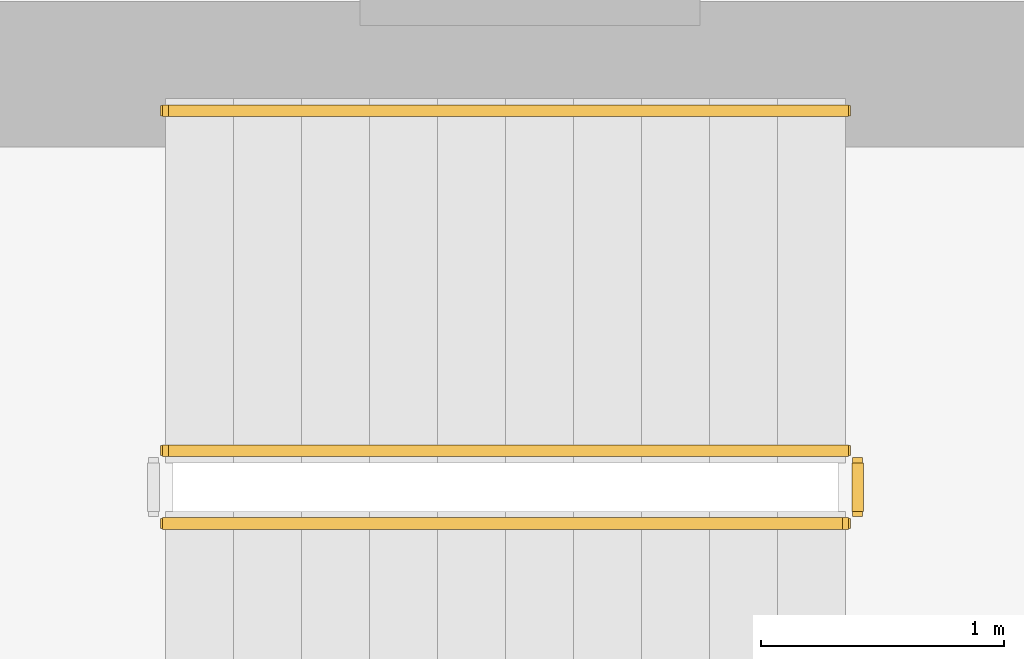
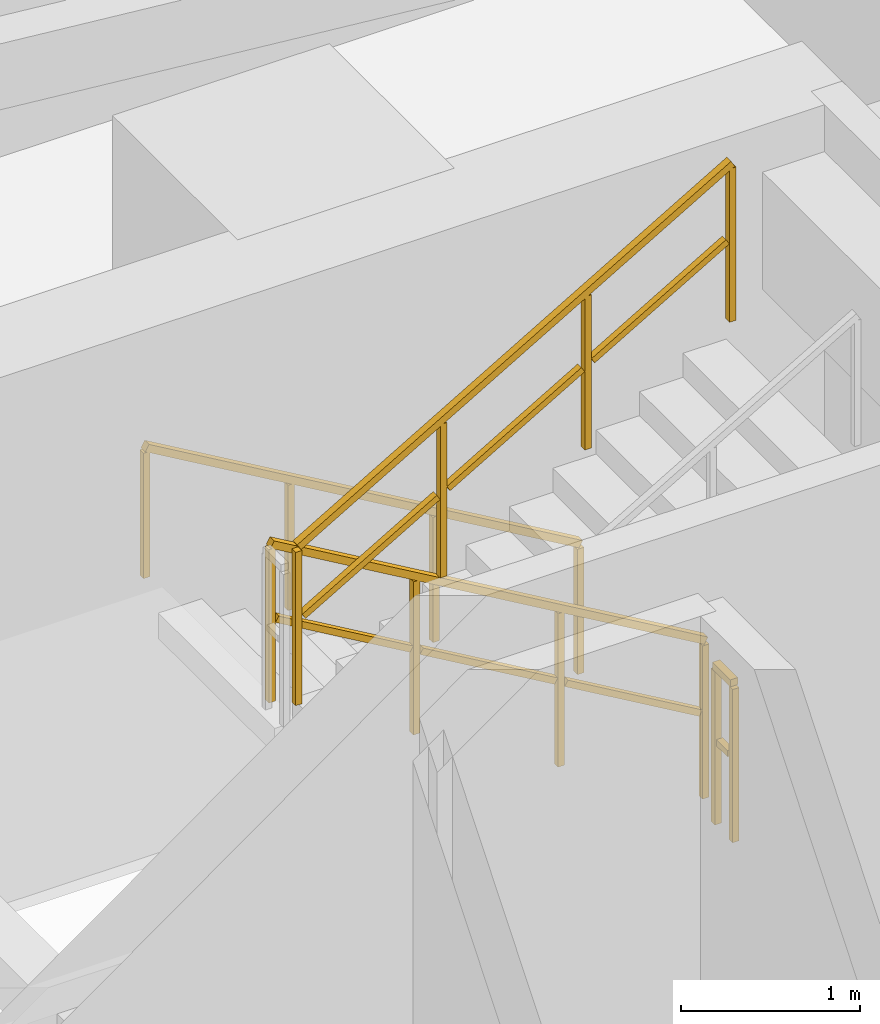
# One storey, part 34 of 36: 4 railings.
"""IFC4 building model written with IfcOpenShell, lengths in metres."""

from ifc_helpers import new_model, si_unit, direction, frame, origin, origin_2d, place, context, subcontext, project, spatial, rectangle, extrude, material, type_object, element, save


model = new_model("IFC4")

# Units and contexts
model_context = context("Model", 3, precision=1e-05, world=origin(), true_north=direction((0.0, 1.0)))
body_context = subcontext(model_context, "Body", "Model", "MODEL_VIEW")
ifc_project = project(units=[si_unit("LENGTHUNIT", "METRE"), si_unit("AREAUNIT", "SQUARE_METRE"), si_unit("VOLUMEUNIT", "CUBIC_METRE"), si_unit("PLANEANGLEUNIT", "RADIAN"), si_unit("MASSUNIT", "GRAM", prefix="KILO")], contexts=[model_context])

# Site, building, storey
site_placement = place(None, origin())
site = spatial("IfcSite", under=ifc_project, at=site_placement, CompositionType="ELEMENT")
building_placement = place(site_placement, origin())
building = spatial("IfcBuilding", under=site, at=building_placement, Name="Thornwick Lancets Civic Towers", CompositionType="ELEMENT")
storey_placement = place(building_placement, frame((0.0, 0.0, 68.10009765625)))
storey = spatial("IfcBuildingStorey", under=building, at=storey_placement, Name="L17", CompositionType="ELEMENT", Elevation=68.10009765625)

# Railings
ifc_material_1 = material(Name="Brushed stainless steel S355", Category="steel")
railing_type_1 = type_object("IfcRailingType", Name="RAIL_HANDRAIL", PredefinedType="HANDRAIL", material=ifc_material_1)
railing_1_placement = place(storey_placement, frame((31.60009765625, 38.949951171875, 0.16357421875)))
element("IfcRailing", 1, at=railing_1_placement, inside=storey, type_object=railing_type_1, Name="L17 ST-A2 stair handrail 1", PredefinedType="HANDRAIL", context=body_context, shape_type="SweptSolid", body=[
    extrude(rectangle(XDim=0.048095703125, YDim=0.048095703125, at=origin_2d()), frame((0.0, 0.0, 0.8857421875), z_axis=(-0.863393664356, 0.0, 0.504530851732), x_axis=(0.0, -1.0, 0.0)), (0.0, 0.0, 1.0), 3.2431640625),
    extrude(rectangle(XDim=0.0419921875, YDim=0.0419921875, at=origin_2d()), origin(), (0.0, 0.0, 1.0), 0.855712890625),
    extrude(rectangle(XDim=0.0419921875, YDim=0.0419921875, at=origin_2d()), frame((-0.933349609375, 0.0, 0.54541015625)), (0.0, 0.0, 1.0), 0.855712890625),
    extrude(rectangle(XDim=0.0419921875, YDim=0.0419921875, at=origin_2d()), frame((-1.86669921875, 0.0, 1.0908203125)), (0.0, 0.0, 1.0), 0.855712890625),
    extrude(rectangle(XDim=0.0419921875, YDim=0.0419921875, at=origin_2d()), frame((-2.800048828125, 0.0, 1.63623046875)), (0.0, 0.0, 1.0), 0.855712890625),
])
ifc_material_2 = material(Name="Steel S355JR", Category="steel")
railing_type_2 = type_object("IfcRailingType", Name="RAIL_STAIR_GUARD", PredefinedType="GUARDRAIL", material=ifc_material_2)
railing_2_placement = place(storey_placement, frame((31.60009765625, 37.550048828125, 0.16357421875)))
element("IfcRailing", 2, at=railing_2_placement, inside=storey, type_object=railing_type_2, Name="L17 ST-A2 stair guard 1", PredefinedType="GUARDRAIL", context=body_context, shape_type="SweptSolid", body=[
    extrude(rectangle(XDim=0.048095703125, YDim=0.048095703125, at=origin_2d()), frame((0.0, 0.0, 1.076171875), z_axis=(-0.863393664356, 0.0, 0.504530851732), x_axis=(0.0, -1.0, 0.0)), (0.0, 0.0, 1.0), 3.2431640625),
    extrude(rectangle(XDim=0.0419921875, YDim=0.0419921875, at=origin_2d()), frame((-0.032470703125, 0.0, 0.591064453125), z_axis=(-0.863393664356, 0.0, 0.504530851732), x_axis=(0.0, -1.0, 0.0)), (0.0, 0.0, 1.0), 1.006103515625),
    extrude(rectangle(XDim=0.0419921875, YDim=0.0419921875, at=origin_2d()), frame((-0.9658203125, 0.0, 1.136474609375), z_axis=(-0.863393664356, 0.0, 0.504530851732), x_axis=(0.0, -1.0, 0.0)), (0.0, 0.0, 1.0), 1.006103515625),
    extrude(rectangle(XDim=0.0419921875, YDim=0.0419921875, at=origin_2d()), frame((-1.899169921875, 0.0, 1.681884765625), z_axis=(-0.863393664356, 0.0, 0.504530851732), x_axis=(0.0, -1.0, 0.0)), (0.0, 0.0, 1.0), 1.006103515625),
    extrude(rectangle(XDim=0.0419921875, YDim=0.0419921875, at=origin_2d()), origin(), (0.0, 0.0, 1.0), 1.0458984375),
    extrude(rectangle(XDim=0.0419921875, YDim=0.0419921875, at=origin_2d()), frame((-0.933349609375, 0.0, 0.54541015625)), (0.0, 0.0, 1.0), 1.0458984375),
    extrude(rectangle(XDim=0.0419921875, YDim=0.0419921875, at=origin_2d()), frame((-1.86669921875, 0.0, 1.0908203125)), (0.0, 0.0, 1.0), 1.0458984375),
    extrude(rectangle(XDim=0.0419921875, YDim=0.0419921875, at=origin_2d()), frame((-2.800048828125, 0.0, 1.63623046875)), (0.0, 0.0, 1.0), 1.0458984375),
])
railing_3_placement = place(storey_placement, frame((28.800048828125, 37.25, 1.963623046875)))
element("IfcRailing", 3, at=railing_3_placement, inside=storey, type_object=railing_type_2, Name="L17 ST-A2 stair guard 3", PredefinedType="GUARDRAIL", context=body_context, shape_type="SweptSolid", body=[
    extrude(rectangle(XDim=0.048095703125, YDim=0.048095703125, at=origin_2d()), frame((0.0, 0.0, 1.076171875), z_axis=(0.863393664356, 0.0, 0.504530851732), x_axis=(0.0, 1.0, 0.0)), (0.0, 0.0, 1.0), 3.2431640625),
    extrude(rectangle(XDim=0.0419921875, YDim=0.0419921875, at=origin_2d()), frame((0.032470703125, 0.0, 0.591064453125), z_axis=(0.863393664356, 0.0, 0.504530851732), x_axis=(0.0, 1.0, 0.0)), (0.0, 0.0, 1.0), 1.006103515625),
    extrude(rectangle(XDim=0.0419921875, YDim=0.0419921875, at=origin_2d()), frame((0.9658203125, 0.0, 1.136474609375), z_axis=(0.863393664356, 0.0, 0.504530851732), x_axis=(0.0, 1.0, 0.0)), (0.0, 0.0, 1.0), 1.006103515625),
    extrude(rectangle(XDim=0.0419921875, YDim=0.0419921875, at=origin_2d()), frame((1.899169921875, 0.0, 1.681884765625), z_axis=(0.863393664356, 0.0, 0.504530851732), x_axis=(0.0, 1.0, 0.0)), (0.0, 0.0, 1.0), 1.006103515625),
    extrude(rectangle(XDim=0.0419921875, YDim=0.0419921875, at=origin_2d()), origin(), (0.0, 0.0, 1.0), 1.0458984375),
    extrude(rectangle(XDim=0.0419921875, YDim=0.0419921875, at=origin_2d()), frame((0.933349609375, 0.0, 0.54541015625)), (0.0, 0.0, 1.0), 1.0458984375),
    extrude(rectangle(XDim=0.0419921875, YDim=0.0419921875, at=origin_2d()), frame((1.86669921875, 0.0, 1.0908203125)), (0.0, 0.0, 1.0), 1.0458984375),
    extrude(rectangle(XDim=0.0419921875, YDim=0.0419921875, at=origin_2d()), frame((2.800048828125, 0.0, 1.63623046875)), (0.0, 0.0, 1.0), 1.0458984375),
])
railing_4_placement = place(storey_placement, frame((31.64990234375, 37.5, 0.0)))
element("IfcRailing", 4, at=railing_4_placement, inside=storey, type_object=railing_type_2, Name="L17 ST-A2 stair guard 4", PredefinedType="GUARDRAIL", context=body_context, shape_type="SweptSolid", body=[
    extrude(rectangle(XDim=0.048095703125, YDim=0.048095703125, at=origin_2d()), frame((0.0, 0.0, 1.076171875), z_axis=(0.0, -1.0, 0.0), x_axis=(1.0, 0.0, 0.0)), (0.0, 0.0, 1.0), 0.199951171875),
    extrude(rectangle(XDim=0.0419921875, YDim=0.0419921875, at=origin_2d()), frame((0.0, -0.03759765625, 0.572021484375), z_axis=(0.0, -1.0, 0.0), x_axis=(1.0, 0.0, 0.0)), (0.0, 0.0, 1.0), 0.125),
    extrude(rectangle(XDim=0.0419921875, YDim=0.0419921875, at=origin_2d()), origin(), (0.0, 0.0, 1.0), 1.0458984375),
    extrude(rectangle(XDim=0.0419921875, YDim=0.0419921875, at=origin_2d()), frame((0.0, -0.199951171875, 0.0)), (0.0, 0.0, 1.0), 1.0458984375),
])

save(model, "model.ifc")
